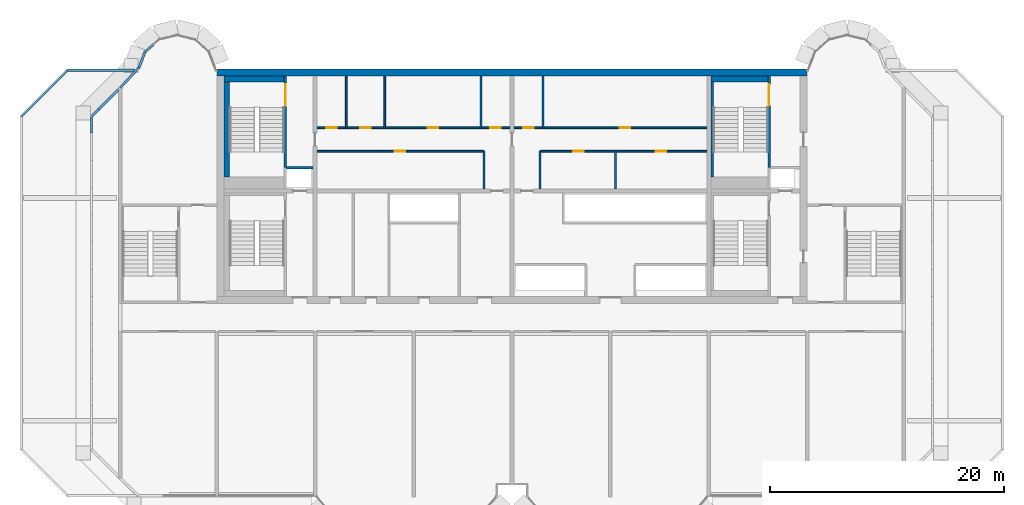
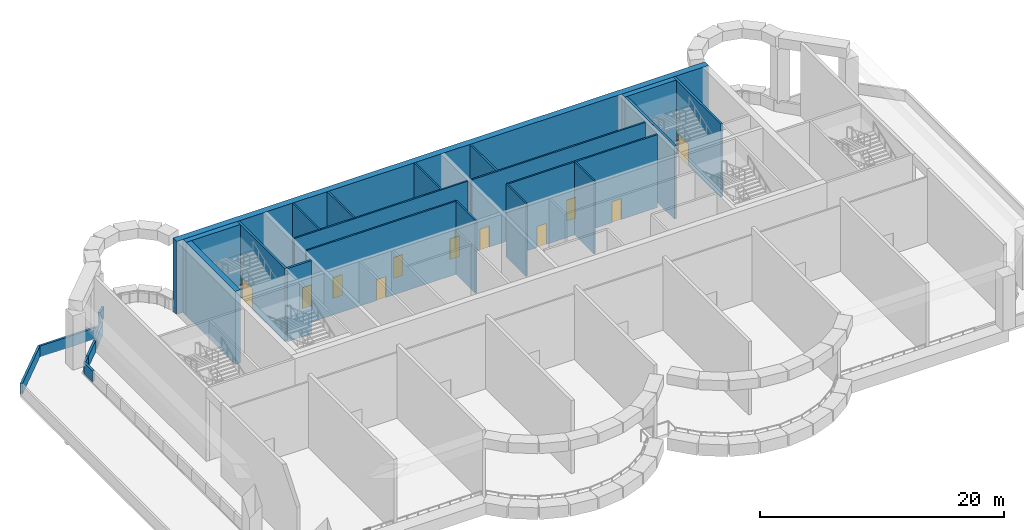
# One storey, part 4 of 11: 27 walls, 11 doors, 11 openings.
"""IFC4 building model written with IfcOpenShell, lengths in metres."""

from ifc_helpers import new_model, si_unit, direction, frame, frame_2d, origin, place, context, subcontext, project, spatial, rectangle, extrude, source, transform, mapped, material, layer, layer_set, type_object, element, fill, save


model = new_model("IFC4")

# Units and contexts
model_context = context("Model", 3, precision=1e-05, world=origin(), true_north=direction((0.0, 1.0)))
body_context = subcontext(model_context, "Body", "Model", "MODEL_VIEW")
ifc_project = project(units=[si_unit("LENGTHUNIT", "METRE"), si_unit("AREAUNIT", "SQUARE_METRE"), si_unit("VOLUMEUNIT", "CUBIC_METRE"), si_unit("PLANEANGLEUNIT", "RADIAN"), si_unit("MASSUNIT", "GRAM", prefix="KILO")], contexts=[model_context])

# Site, building, storey
site_placement = place(None, origin())
site = spatial("IfcSite", under=ifc_project, at=site_placement, CompositionType="ELEMENT")
building_placement = place(site_placement, origin())
building = spatial("IfcBuilding", under=site, at=building_placement, Name="Vanashikhar Sky Hotel", CompositionType="ELEMENT")
storey_placement = place(building_placement, frame((0.0, 0.0, 206.39990234375)))
storey = spatial("IfcBuildingStorey", under=building, at=storey_placement, Name="L50", CompositionType="ELEMENT", Elevation=206.39990234375)

# Walls
ifc_material_1 = material(Name="Concrete M60", Category="concrete")
ifc_layer_1 = layer(ifc_material_1, 0.60009765625)
ifc_layer_set_1 = layer_set([ifc_layer_1], Name="RC core shell wall 600 Concrete M60")
wall_type_1 = type_object("IfcWallType", Name="RC core shell wall 600 Concrete M60", PredefinedType="SHEAR", material=ifc_layer_set_1)
shared_shape_1 = source(origin(), body_context, "Body", "SweptSolid", [
    extrude(rectangle(XDim=50.400146484375, YDim=0.60009765625, at=frame_2d((25.2001953125, 0.0))), origin(), (0.0, 0.0, 1.0), 7.320068359375),
])
wall_1_placement = place(storey_placement, frame((25.199951171875, 41.699951171875, 0.0), z_axis=(0.0, 0.0, 1.0), x_axis=(1.0, 0.0, 0.0)))
element("IfcWall", 1, at=wall_1_placement, inside=storey, type_object=wall_type_1, Name="KW-L50-KN", PredefinedType="SHEAR", context=body_context, shape_type="MappedRepresentation", body=[
    mapped(shared_shape_1, transform((0.0, 0.0, 0.0), scale=1.0)),
])
ifc_material_2 = material(Name="Concrete M50", Category="concrete")
ifc_layer_2 = layer(ifc_material_2, 0.199951171875)
ifc_layer_set_2 = layer_set([ifc_layer_2], Name="Parapet 200")
wall_type_2 = type_object("IfcWallType", Name="Parapet 200", PredefinedType="PARAPET", material=ifc_layer_set_2)
shared_shape_2 = source(origin(), body_context, "Body", "SweptSolid", [
    extrude(rectangle(XDim=2.32421875, YDim=0.199951171875, at=frame_2d((1.162109375, 0.0))), origin(), (0.0, 0.0, 1.0), 1.10009765625),
])
wall_2_placement = place(storey_placement, frame((15.136474609375, 38.594970703125, 0.0), z_axis=(0.0, 0.0, 1.0), x_axis=(0.707106781187, 0.707106781187, 0.0)))
element("IfcWall", 2, at=wall_2_placement, inside=storey, type_object=wall_type_2, Name="Floor edge parapet", PredefinedType="PARAPET", context=body_context, shape_type="MappedRepresentation", body=[
    mapped(shared_shape_2, transform((0.0, 0.0, 0.0), scale=1.0)),
])
shared_shape_3 = source(origin(), body_context, "Body", "SweptSolid", [
    extrude(rectangle(XDim=0.858642578125, YDim=0.199951171875, at=frame_2d((0.42919921875, 0.0))), origin(), (0.0, 0.0, 1.0), 1.10009765625),
])
wall_3_placement = place(storey_placement, frame((14.529296875, 37.98779296875, 0.0), z_axis=(0.0, 0.0, 1.0), x_axis=(0.707106781187, 0.707106781187, 0.0)))
element("IfcWall", 3, at=wall_3_placement, inside=storey, type_object=wall_type_2, Name="Floor edge parapet", PredefinedType="PARAPET", context=body_context, shape_type="MappedRepresentation", body=[
    mapped(shared_shape_3, transform((0.0, 0.0, 0.0), scale=1.0)),
])
shared_shape_4 = source(origin(), body_context, "Body", "SweptSolid", [
    extrude(rectangle(XDim=1.383056640625, YDim=0.199951171875, at=frame_2d((0.69140625, 0.0))), origin(), (0.0, 0.0, 1.0), 1.10009765625),
])
wall_4_placement = place(storey_placement, frame((14.5, 36.5341796875, 0.0), z_axis=(0.0, 0.0, 1.0), x_axis=(0.0, 1.0, 0.0)))
element("IfcWall", 4, at=wall_4_placement, inside=storey, type_object=wall_type_2, Name="Floor edge parapet", PredefinedType="PARAPET", context=body_context, shape_type="MappedRepresentation", body=[
    mapped(shared_shape_4, transform((0.0, 0.0, 0.0), scale=1.0)),
])
shared_shape_5 = source(origin(), body_context, "Body", "SweptSolid", [
    extrude(rectangle(XDim=2.355224609375, YDim=0.199951171875, at=frame_2d((1.177734375, 0.0))), origin(), (0.0, 0.0, 1.0), 1.10009765625),
])
wall_5_placement = place(storey_placement, frame((16.96142578125, 40.419921875, 0.0), z_axis=(0.0, 0.0, 1.0), x_axis=(0.68007331117, 0.733144113687, 0.0)))
element("IfcWall", 5, at=wall_5_placement, inside=storey, type_object=wall_type_2, Name="Floor edge parapet", PredefinedType="PARAPET", context=body_context, shape_type="MappedRepresentation", body=[
    mapped(shared_shape_5, transform((0.0, 0.0, 0.0), scale=1.0)),
])
shared_shape_6 = source(origin(), body_context, "Body", "SweptSolid", [
    extrude(rectangle(XDim=1.390625, YDim=0.199951171875, at=frame_2d((0.6953125, 0.0))), origin(), (0.0, 0.0, 1.0), 1.10009765625),
])
wall_6_placement = place(storey_placement, frame((18.563232421875, 42.146728515625, 0.0), z_axis=(0.0, 0.0, 1.0), x_axis=(0.357790593379, 0.933801847979, 0.0)))
element("IfcWall", 6, at=wall_6_placement, inside=storey, type_object=wall_type_2, Name="Floor edge parapet", PredefinedType="PARAPET", context=body_context, shape_type="MappedRepresentation", body=[
    mapped(shared_shape_6, transform((0.0, 0.0, 0.0), scale=1.0)),
])
shared_shape_7 = source(origin(), body_context, "Body", "SweptSolid", [
    extrude(rectangle(XDim=0.932861328125, YDim=0.199951171875, at=frame_2d((0.46630859375, 0.0))), origin(), (0.0, 0.0, 1.0), 1.10009765625),
])
wall_7_placement = place(storey_placement, frame((19.087890625, 43.484619140625, 0.0), z_axis=(0.0, 0.0, 1.0), x_axis=(0.749830217547, 0.66163029318, 0.0)))
element("IfcWall", 7, at=wall_7_placement, inside=storey, type_object=wall_type_2, Name="Floor edge parapet", PredefinedType="PARAPET", context=body_context, shape_type="MappedRepresentation", body=[
    mapped(shared_shape_7, transform((0.0, 0.0, 0.0), scale=1.0)),
])
shared_shape_8 = source(origin(), body_context, "Body", "SweptSolid", [
    extrude(rectangle(XDim=5.572509765625, YDim=0.199951171875, at=frame_2d((2.7861328125, 0.0))), origin(), (0.0, 0.0, 1.0), 1.099853515625),
])
wall_8_placement = place(storey_placement, frame((8.501953125, 37.95751953125, -0.0498046875), z_axis=(0.0, 0.0, 1.0), x_axis=(0.707106781187, 0.707106781187, 0.0)))
element("IfcWall", 8, at=wall_8_placement, inside=storey, type_object=wall_type_2, Name="Roof parapet", PredefinedType="PARAPET", context=body_context, shape_type="MappedRepresentation", body=[
    mapped(shared_shape_8, transform((0.0, 0.0, 0.0), scale=1.0)),
])
shared_shape_9 = source(origin(), body_context, "Body", "SweptSolid", [
    extrude(rectangle(XDim=5.733642578125, YDim=0.199951171875, at=frame_2d((2.86669921875, 0.0))), origin(), (0.0, 0.0, 1.0), 1.099853515625),
])
wall_9_placement = place(storey_placement, frame((12.4423828125, 41.89794921875, -0.0498046875), z_axis=(0.0, 0.0, 1.0), x_axis=(1.0, 0.0, 0.0)))
element("IfcWall", 9, at=wall_9_placement, inside=storey, type_object=wall_type_2, Name="Roof parapet", PredefinedType="PARAPET", context=body_context, shape_type="MappedRepresentation", body=[
    mapped(shared_shape_9, transform((0.0, 0.0, 0.0), scale=1.0)),
])
ifc_material_3 = material(Name="Gypsum board partition")
ifc_layer_3 = layer(ifc_material_3, 0.14990234375)
ifc_layer_set_3 = layer_set([ifc_layer_3], Name="Service partition 150")
wall_type_3 = type_object("IfcWallType", Name="Service partition 150", PredefinedType="PARTITIONING", material=ifc_layer_set_3)
shared_shape_10 = source(origin(), body_context, "Body", "SweptSolid", [
    extrude(rectangle(XDim=3.22509765625, YDim=0.14990234375, at=frame_2d((1.612548828125, 0.0))), origin(), (0.0, 0.0, 1.0), 7.320068359375),
])
for number, where, z_axis, x_axis, name in (
    (10, (48.0, 31.77490234375, 0.0), (0.0, 0.0, 1.0), (0.0, 1.0, 0.0), "Service partition 150"),
    (11, (52.800048828125, 31.77490234375, 0.0), (0.0, 0.0, 1.0), (0.0, 1.0, 0.0), "Service partition 150"),
    (12, (59.241943359375, 31.77490234375, 0.0), (0.0, 0.0, 1.0), (0.0, 1.0, 0.0), "Service partition 150"),
):
    element("IfcWall", number, at=place(storey_placement, frame(where, z_axis=z_axis, x_axis=x_axis)), inside=storey, type_object=wall_type_3, Name=name, PredefinedType="PARTITIONING", context=body_context, shape_type="MappedRepresentation", body=[
        mapped(shared_shape_10, transform((0.0, 0.0, 0.0), scale=1.0)),
    ])

# Wall, opening, door
shared_shape_11 = source(origin(), body_context, "Body", "SweptSolid", [
    extrude(rectangle(XDim=14.22509765625, YDim=0.14990234375, at=frame_2d((7.112548828125, 0.0))), origin(), (0.0, 0.0, 1.0), 7.320068359375),
])
wall_10_placement = place(storey_placement, frame((33.77490234375, 35.0, 0.0), z_axis=(0.0, 0.0, 1.0), x_axis=(1.0, 0.0, 0.0)))
wall_10 = element("IfcWall", 13, at=wall_10_placement, inside=storey, type_object=wall_type_3, Name="Service partition 150", PredefinedType="PARTITIONING", context=body_context, shape_type="MappedRepresentation", body=[
    mapped(shared_shape_11, transform((0.0, 0.0, 0.0), scale=1.0)),
])
shared_shape_12 = source(origin(), body_context, "Body", "SweptSolid", [
    extrude(rectangle(XDim=0.89990234375, YDim=2.10009765625, at=frame_2d((0.449951171875, 1.050048828125))), frame((0.0, 0.0849609375, 0.0), z_axis=(0.0, -1.0, 0.0), x_axis=(1.0, 0.0, 0.0)), (0.0, 0.0, 1.0), 0.169921875),
])
opening_1_placement = place(wall_10_placement, frame((6.625, 0.0, 0.0)))
opening_1 = element("IfcOpeningElement", 14, at=opening_1_placement, cuts=wall_10, Name="Opening DC-4-A", PredefinedType="OPENING", context=body_context, shape_type="MappedRepresentation", body=[
    mapped(shared_shape_12, transform((0.0, 0.0, 0.0), scale=1.0)),
])
ifc_material_4 = material(Name="Steel", Category="steel")
door_type_1 = type_object("IfcDoorType", Name="Service door 900 FD60", OperationType="NOTDEFINED", PredefinedType="DOOR", material=ifc_material_4)
shared_shape_13 = source(origin(), body_context, "Body", "SweptSolid", [
    extrude(rectangle(XDim=0.89990234375, YDim=2.10009765625, at=frame_2d((0.449951171875, 1.050048828125))), frame((0.0, 0.02490234375, 0.0), z_axis=(0.0, -1.0, 0.0), x_axis=(1.0, 0.0, 0.0)), (0.0, 0.0, 1.0), 0.050048828125),
])
door_1_placement = place(opening_1_placement, origin())
door_1 = element("IfcDoor", 15, at=door_1_placement, inside=storey, type_object=door_type_1, Name="Service door 900 FD60", OperationType="SINGLE_SWING_RIGHT", OverallHeight=2.10009765625, OverallWidth=0.89990234375, PredefinedType="DOOR", context=body_context, shape_type="MappedRepresentation", body=[
    mapped(shared_shape_13, transform((0.0, 0.0, 0.0), scale=1.0)),
])
fill(opening_1, door_1)

# Wall, openings, doors
shared_shape_14 = source(origin(), body_context, "Body", "SweptSolid", [
    extrude(rectangle(XDim=16.4501953125, YDim=0.14990234375, at=frame_2d((8.22509765625, 0.0))), origin(), (0.0, 0.0, 1.0), 7.320068359375),
])
wall_11_placement = place(storey_placement, frame((33.77490234375, 37.0, 0.0), z_axis=(0.0, 0.0, 1.0), x_axis=(1.0, 0.0, 0.0)))
wall_11 = element("IfcWall", 16, at=wall_11_placement, inside=storey, type_object=wall_type_3, Name="Service partition 150", PredefinedType="PARTITIONING", context=body_context, shape_type="MappedRepresentation", body=[
    mapped(shared_shape_14, transform((0.0, 0.0, 0.0), scale=1.0)),
])
opening_2_placement = place(wall_11_placement, frame((0.783935546875, 0.0, 0.0)))
opening_2 = element("IfcOpeningElement", 17, at=opening_2_placement, cuts=wall_11, Name="Opening DC-4-A", PredefinedType="OPENING", context=body_context, shape_type="MappedRepresentation", body=[
    mapped(shared_shape_12, transform((0.0, 0.0, 0.0), scale=1.0)),
])
opening_3_placement = place(wall_11_placement, frame((3.6630859375, 0.0, 0.0)))
opening_3 = element("IfcOpeningElement", 18, at=opening_3_placement, cuts=wall_11, Name="Opening DC-4-A", PredefinedType="OPENING", context=body_context, shape_type="MappedRepresentation", body=[
    mapped(shared_shape_12, transform((0.0, 0.0, 0.0), scale=1.0)),
])
opening_4_placement = place(wall_11_placement, frame((9.419921875, 0.0, 0.0)))
opening_4 = element("IfcOpeningElement", 19, at=opening_4_placement, cuts=wall_11, Name="Opening DC-4-A", PredefinedType="OPENING", context=body_context, shape_type="MappedRepresentation", body=[
    mapped(shared_shape_12, transform((0.0, 0.0, 0.0), scale=1.0)),
])
opening_5_placement = place(wall_11_placement, frame((14.76611328125, 0.0, 0.0)))
opening_5 = element("IfcOpeningElement", 20, at=opening_5_placement, cuts=wall_11, Name="Opening DC-4-A", PredefinedType="OPENING", context=body_context, shape_type="MappedRepresentation", body=[
    mapped(shared_shape_12, transform((0.0, 0.0, 0.0), scale=1.0)),
])
door_2_placement = place(opening_2_placement, origin())
door_2 = element("IfcDoor", 21, at=door_2_placement, inside=storey, type_object=door_type_1, Name="Service door 900 FD60", OperationType="SINGLE_SWING_LEFT", OverallHeight=2.10009765625, OverallWidth=0.89990234375, PredefinedType="DOOR", context=body_context, shape_type="MappedRepresentation", body=[
    mapped(shared_shape_13, transform((0.0, 0.0, 0.0), scale=1.0)),
])
fill(opening_2, door_2)
door_3_placement = place(opening_3_placement, origin())
door_3 = element("IfcDoor", 22, at=door_3_placement, inside=storey, type_object=door_type_1, Name="Service door 900 FD60", OperationType="SINGLE_SWING_LEFT", OverallHeight=2.10009765625, OverallWidth=0.89990234375, PredefinedType="DOOR", context=body_context, shape_type="MappedRepresentation", body=[
    mapped(shared_shape_13, transform((0.0, 0.0, 0.0), scale=1.0)),
])
fill(opening_3, door_3)
door_4_placement = place(opening_4_placement, origin())
door_4 = element("IfcDoor", 23, at=door_4_placement, inside=storey, type_object=door_type_1, Name="Service door 900 FD60", OperationType="SINGLE_SWING_LEFT", OverallHeight=2.10009765625, OverallWidth=0.89990234375, PredefinedType="DOOR", context=body_context, shape_type="MappedRepresentation", body=[
    mapped(shared_shape_13, transform((0.0, 0.0, 0.0), scale=1.0)),
])
fill(opening_4, door_4)
door_5_placement = place(opening_5_placement, origin())
door_5 = element("IfcDoor", 24, at=door_5_placement, inside=storey, type_object=door_type_1, Name="Service door 900 FD60", OperationType="SINGLE_SWING_RIGHT", OverallHeight=2.10009765625, OverallWidth=0.89990234375, PredefinedType="DOOR", context=body_context, shape_type="MappedRepresentation", body=[
    mapped(shared_shape_13, transform((0.0, 0.0, 0.0), scale=1.0)),
])
fill(opening_5, door_5)

# Walls
shared_shape_15 = source(origin(), body_context, "Body", "SweptSolid", [
    extrude(rectangle(XDim=4.39990234375, YDim=0.14990234375, at=frame_2d((2.199951171875, 0.0))), origin(), (0.0, 0.0, 1.0), 7.320068359375),
])
for number, where, z_axis, x_axis, name in (
    (25, (36.241943359375, 37.0, 0.0), (0.0, 0.0, 1.0), (0.0, 1.0, 0.0), "Service partition 150"),
    (26, (39.531982421875, 37.0, 0.0), (0.0, 0.0, 1.0), (0.0, 1.0, 0.0), "Service partition 150"),
    (27, (47.758056640625, 37.0, 0.0), (0.0, 0.0, 1.0), (0.0, 1.0, 0.0), "Service partition 150"),
    (28, (53.0419921875, 37.0, 0.0), (0.0, 0.0, 1.0), (0.0, 1.0, 0.0), "Service partition 150"),
):
    element("IfcWall", number, at=place(storey_placement, frame(where, z_axis=z_axis, x_axis=x_axis)), inside=storey, type_object=wall_type_3, Name=name, PredefinedType="PARTITIONING", context=body_context, shape_type="MappedRepresentation", body=[
        mapped(shared_shape_15, transform((0.0, 0.0, 0.0), scale=1.0)),
    ])

# Wall, openings, doors
shared_shape_16 = source(origin(), body_context, "Body", "SweptSolid", [
    extrude(rectangle(XDim=14.224853515625, YDim=0.14990234375, at=frame_2d((7.1123046875, 0.0))), origin(), (0.0, 0.0, 1.0), 7.320068359375),
])
wall_12_placement = place(storey_placement, frame((67.02490234375, 35.0, 0.0), z_axis=(0.0, 0.0, 1.0), x_axis=(-1.0, 0.0, 0.0)))
wall_12 = element("IfcWall", 29, at=wall_12_placement, inside=storey, type_object=wall_type_3, Name="Service partition 150", PredefinedType="PARTITIONING", context=body_context, shape_type="MappedRepresentation", body=[
    mapped(shared_shape_16, transform((0.0, 0.0, 0.0), scale=1.0)),
])
opening_6_placement = place(wall_12_placement, frame((3.44091796875, 0.0, 0.0)))
opening_6 = element("IfcOpeningElement", 30, at=opening_6_placement, cuts=wall_12, Name="Opening DC-4-A", PredefinedType="OPENING", context=body_context, shape_type="MappedRepresentation", body=[
    mapped(shared_shape_12, transform((0.0, 0.0, 0.0), scale=1.0)),
])
opening_7_placement = place(wall_12_placement, frame((10.51611328125, 0.0, 0.0)))
opening_7 = element("IfcOpeningElement", 31, at=opening_7_placement, cuts=wall_12, Name="Opening DC-4-A", PredefinedType="OPENING", context=body_context, shape_type="MappedRepresentation", body=[
    mapped(shared_shape_12, transform((0.0, 0.0, 0.0), scale=1.0)),
])
door_6_placement = place(opening_6_placement, origin())
door_6 = element("IfcDoor", 32, at=door_6_placement, inside=storey, type_object=door_type_1, Name="Service door 900 FD60", OperationType="SINGLE_SWING_RIGHT", OverallHeight=2.10009765625, OverallWidth=0.89990234375, PredefinedType="DOOR", context=body_context, shape_type="MappedRepresentation", body=[
    mapped(shared_shape_13, transform((0.0, 0.0, 0.0), scale=1.0)),
])
fill(opening_6, door_6)
door_7_placement = place(opening_7_placement, origin())
door_7 = element("IfcDoor", 33, at=door_7_placement, inside=storey, type_object=door_type_1, Name="Service door 900 FD60", OperationType="SINGLE_SWING_LEFT", OverallHeight=2.10009765625, OverallWidth=0.89990234375, PredefinedType="DOOR", context=body_context, shape_type="MappedRepresentation", body=[
    mapped(shared_shape_13, transform((0.0, 0.0, 0.0), scale=1.0)),
])
fill(opening_7, door_7)

shared_shape_17 = source(origin(), body_context, "Body", "SweptSolid", [
    extrude(rectangle(XDim=16.449951171875, YDim=0.14990234375, at=frame_2d((8.22509765625, 0.0))), origin(), (0.0, 0.0, 1.0), 7.320068359375),
])
wall_13_placement = place(storey_placement, frame((67.02490234375, 37.0, 0.0), z_axis=(0.0, 0.0, 1.0), x_axis=(-1.0, 0.0, 0.0)))
wall_13 = element("IfcWall", 34, at=wall_13_placement, inside=storey, type_object=wall_type_3, Name="Service partition 150", PredefinedType="PARTITIONING", context=body_context, shape_type="MappedRepresentation", body=[
    mapped(shared_shape_17, transform((0.0, 0.0, 0.0), scale=1.0)),
])
opening_8_placement = place(wall_13_placement, frame((6.541015625, 0.0, 0.0)))
opening_8 = element("IfcOpeningElement", 35, at=opening_8_placement, cuts=wall_13, Name="Opening DC-4-A", PredefinedType="OPENING", context=body_context, shape_type="MappedRepresentation", body=[
    mapped(shared_shape_12, transform((0.0, 0.0, 0.0), scale=1.0)),
])
opening_9_placement = place(wall_13_placement, frame((14.76611328125, 0.0, 0.0)))
opening_9 = element("IfcOpeningElement", 36, at=opening_9_placement, cuts=wall_13, Name="Opening DC-4-A", PredefinedType="OPENING", context=body_context, shape_type="MappedRepresentation", body=[
    mapped(shared_shape_12, transform((0.0, 0.0, 0.0), scale=1.0)),
])
door_8_placement = place(opening_8_placement, origin())
door_8 = element("IfcDoor", 37, at=door_8_placement, inside=storey, type_object=door_type_1, Name="Service door 900 FD60", OperationType="SINGLE_SWING_LEFT", OverallHeight=2.10009765625, OverallWidth=0.89990234375, PredefinedType="DOOR", context=body_context, shape_type="MappedRepresentation", body=[
    mapped(shared_shape_13, transform((0.0, 0.0, 0.0), scale=1.0)),
])
fill(opening_8, door_8)
door_9_placement = place(opening_9_placement, origin())
door_9 = element("IfcDoor", 38, at=door_9_placement, inside=storey, type_object=door_type_1, Name="Service door 900 FD60", OperationType="SINGLE_SWING_RIGHT", OverallHeight=2.10009765625, OverallWidth=0.89990234375, PredefinedType="DOOR", context=body_context, shape_type="MappedRepresentation", body=[
    mapped(shared_shape_13, transform((0.0, 0.0, 0.0), scale=1.0)),
])
fill(opening_9, door_9)

# Wall
ifc_material_5 = material(Name="Concrete M40", Category="concrete")
ifc_layer_4 = layer(ifc_material_5, 0.199951171875)
ifc_layer_set_4 = layer_set([ifc_layer_4], Name="Shaft wall 200")
wall_type_4 = type_object("IfcWallType", Name="Shaft wall 200", PredefinedType="SOLIDWALL", material=ifc_layer_set_4)
shared_shape_18 = source(origin(), body_context, "Body", "SweptSolid", [
    extrude(rectangle(XDim=2.275146484375, YDim=0.199951171875, at=frame_2d((1.1376953125, 0.0))), origin(), (0.0, 0.0, 1.0), 7.320068359375),
])
wall_14_placement = place(storey_placement, frame((31.14990234375, 33.60009765625, 0.0), z_axis=(0.0, 0.0, 1.0), x_axis=(1.0, 0.0, 0.0)))
element("IfcWall", 39, at=wall_14_placement, inside=storey, type_object=wall_type_4, Name="Shaft wall 200", PredefinedType="SOLIDWALL", context=body_context, shape_type="MappedRepresentation", body=[
    mapped(shared_shape_18, transform((0.0, 0.0, 0.0), scale=1.0)),
])

# Wall, opening, door
ifc_layer_5 = layer(ifc_material_2, 0.199951171875)
ifc_layer_set_5 = layer_set([ifc_layer_5], Name="Stair wall 200")
wall_type_5 = type_object("IfcWallType", Name="Stair wall 200", PredefinedType="SOLIDWALL", material=ifc_layer_set_5)
shared_shape_19 = source(origin(), body_context, "Body", "SweptSolid", [
    extrude(rectangle(XDim=7.7998046875, YDim=0.199951171875, at=frame_2d((3.89990234375, 0.0))), origin(), (0.0, 0.0, 1.0), 7.320068359375),
])
wall_15_placement = place(storey_placement, frame((31.050048828125, 33.60009765625, 0.0), z_axis=(0.0, 0.0, 1.0), x_axis=(0.0, 1.0, 0.0)))
wall_15 = element("IfcWall", 40, at=wall_15_placement, inside=storey, type_object=wall_type_5, Name="Stair wall 200", PredefinedType="SOLIDWALL", context=body_context, shape_type="MappedRepresentation", body=[
    mapped(shared_shape_19, transform((0.0, 0.0, 0.0), scale=1.0)),
])
shared_shape_20 = source(origin(), body_context, "Body", "SweptSolid", [
    extrude(rectangle(XDim=1.800048828125, YDim=2.10009765625, at=frame_2d((0.89990234375, 1.050048828125))), frame((0.0, 0.10986328125, 0.0), z_axis=(0.0, -1.0, 0.0), x_axis=(1.0, 0.0, 0.0)), (0.0, 0.0, 1.0), 0.219970703125),
])
opening_10_placement = place(wall_15_placement, frame((5.300048828125, 0.0, 0.0)))
opening_10 = element("IfcOpeningElement", 41, at=opening_10_placement, cuts=wall_15, Name="Opening DC-1-A", PredefinedType="OPENING", context=body_context, shape_type="MappedRepresentation", body=[
    mapped(shared_shape_20, transform((0.0, 0.0, 0.0), scale=1.0)),
])
door_type_2 = type_object("IfcDoorType", Name="Stair door 1800 FD120", OperationType="NOTDEFINED", PredefinedType="DOOR", material=ifc_material_4)
shared_shape_21 = source(origin(), body_context, "Body", "SweptSolid", [
    extrude(rectangle(XDim=1.800048828125, YDim=2.10009765625, at=frame_2d((0.89990234375, 1.050048828125))), frame((0.0, 0.02490234375, 0.0), z_axis=(0.0, -1.0, 0.0), x_axis=(1.0, 0.0, 0.0)), (0.0, 0.0, 1.0), 0.050048828125),
])
door_10_placement = place(opening_10_placement, origin())
door_10 = element("IfcDoor", 42, at=door_10_placement, inside=storey, type_object=door_type_2, Name="Stair door 1800 FD120", OperationType="SINGLE_SWING_RIGHT", OverallHeight=2.10009765625, OverallWidth=1.800048828125, PredefinedType="DOOR", context=body_context, shape_type="MappedRepresentation", body=[
    mapped(shared_shape_21, transform((0.0, 0.0, 0.0), scale=1.0)),
])
fill(opening_10, door_10)

wall_16_placement = place(storey_placement, frame((72.35009765625, 33.60009765625, 0.0), z_axis=(0.0, 0.0, 1.0), x_axis=(0.0, 1.0, 0.0)))
wall_16 = element("IfcWall", 43, at=wall_16_placement, inside=storey, type_object=wall_type_5, Name="Stair wall 200", PredefinedType="SOLIDWALL", context=body_context, shape_type="MappedRepresentation", body=[
    mapped(shared_shape_19, transform((0.0, 0.0, 0.0), scale=1.0)),
])
opening_11_placement = place(wall_16_placement, frame((5.300048828125, 0.0, 0.0)))
opening_11 = element("IfcOpeningElement", 44, at=opening_11_placement, cuts=wall_16, Name="Opening DC-1-A", PredefinedType="OPENING", context=body_context, shape_type="MappedRepresentation", body=[
    mapped(shared_shape_20, transform((0.0, 0.0, 0.0), scale=1.0)),
])
door_11_placement = place(opening_11_placement, origin())
door_11 = element("IfcDoor", 45, at=door_11_placement, inside=storey, type_object=door_type_2, Name="Stair door 1800 FD120", OperationType="SINGLE_SWING_LEFT", OverallHeight=2.10009765625, OverallWidth=1.800048828125, PredefinedType="DOOR", context=body_context, shape_type="MappedRepresentation", body=[
    mapped(shared_shape_21, transform((0.0, 0.0, 0.0), scale=1.0)),
])
fill(opening_11, door_11)

# Walls
ifc_layer_6 = layer(ifc_material_2, 0.5)
ifc_layer_set_6 = layer_set([ifc_layer_6], Name="Stair infill wall 500")
wall_type_6 = type_object("IfcWallType", Name="Stair infill wall 500", PredefinedType="SOLIDWALL", material=ifc_layer_set_6)
shared_shape_22 = source(origin(), body_context, "Body", "SweptSolid", [
    extrude(rectangle(XDim=5.14990234375, YDim=0.5, at=frame_2d((2.574951171875, 0.0))), origin(), (0.0, 0.0, 1.0), 7.320068359375),
])
wall_17_placement = place(storey_placement, frame((25.800048828125, 41.14990234375, 0.0), z_axis=(0.0, 0.0, 1.0), x_axis=(1.0, 0.0, 0.0)))
element("IfcWall", 46, at=wall_17_placement, inside=storey, type_object=wall_type_6, Name="Stair infill wall 500", PredefinedType="SOLIDWALL", context=body_context, shape_type="MappedRepresentation", body=[
    mapped(shared_shape_22, transform((0.0, 0.0, 0.0), scale=1.0)),
])
shared_shape_23 = source(origin(), body_context, "Body", "SweptSolid", [
    extrude(rectangle(XDim=8.099853515625, YDim=0.5, at=frame_2d((4.0498046875, 0.0))), origin(), (0.0, 0.0, 1.0), 7.320068359375),
])
wall_18_placement = place(storey_placement, frame((26.050048828125, 32.800048828125, 0.0), z_axis=(0.0, 0.0, 1.0), x_axis=(0.0, 1.0, 0.0)))
element("IfcWall", 47, at=wall_18_placement, inside=storey, type_object=wall_type_6, Name="Stair infill wall 500", PredefinedType="SOLIDWALL", context=body_context, shape_type="MappedRepresentation", body=[
    mapped(shared_shape_23, transform((0.0, 0.0, 0.0), scale=1.0)),
])
shared_shape_24 = source(origin(), body_context, "Body", "SweptSolid", [
    extrude(rectangle(XDim=4.875, YDim=0.5, at=frame_2d((2.4375, 0.0))), origin(), (0.0, 0.0, 1.0), 7.320068359375),
])
wall_19_placement = place(storey_placement, frame((67.375, 41.14990234375, 0.0), z_axis=(0.0, 0.0, 1.0), x_axis=(1.0, 0.0, 0.0)))
element("IfcWall", 48, at=wall_19_placement, inside=storey, type_object=wall_type_6, Name="Stair infill wall 500", PredefinedType="SOLIDWALL", context=body_context, shape_type="MappedRepresentation", body=[
    mapped(shared_shape_24, transform((0.0, 0.0, 0.0), scale=1.0)),
])
ifc_layer_7 = layer(ifc_material_2, 0.22509765625)
ifc_layer_set_7 = layer_set([ifc_layer_7], Name="Stair infill wall 225")
wall_type_7 = type_object("IfcWallType", Name="Stair infill wall 225", PredefinedType="SOLIDWALL", material=ifc_layer_set_7)
shared_shape_25 = source(origin(), body_context, "Body", "SweptSolid", [
    extrude(rectangle(XDim=8.099853515625, YDim=0.22509765625, at=frame_2d((4.0498046875, 0.0))), origin(), (0.0, 0.0, 1.0), 7.320068359375),
])
wall_20_placement = place(storey_placement, frame((67.487060546875, 32.800048828125, 0.0), z_axis=(0.0, 0.0, 1.0), x_axis=(0.0, 1.0, 0.0)))
element("IfcWall", 49, at=wall_20_placement, inside=storey, type_object=wall_type_7, Name="Stair infill wall 225", PredefinedType="SOLIDWALL", context=body_context, shape_type="MappedRepresentation", body=[
    mapped(shared_shape_25, transform((0.0, 0.0, 0.0), scale=1.0)),
])

save(model, "model.ifc")
